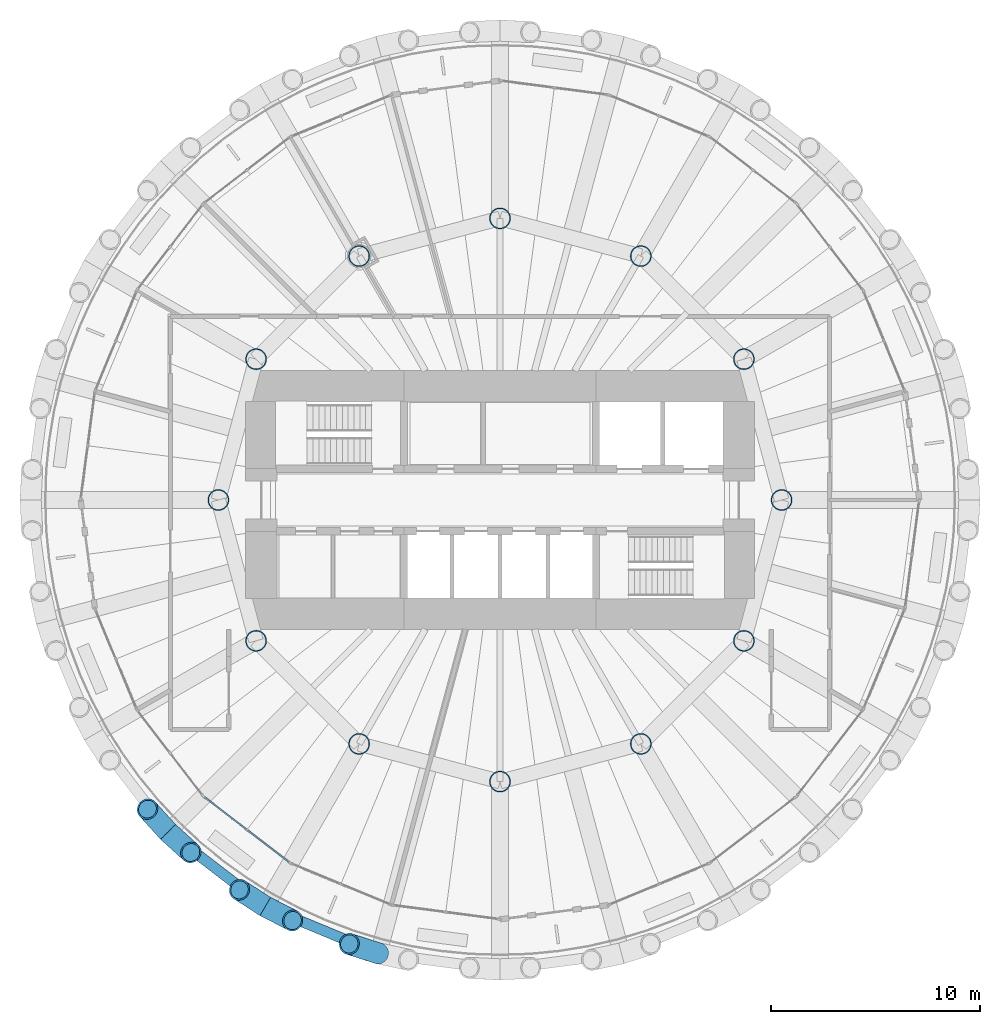
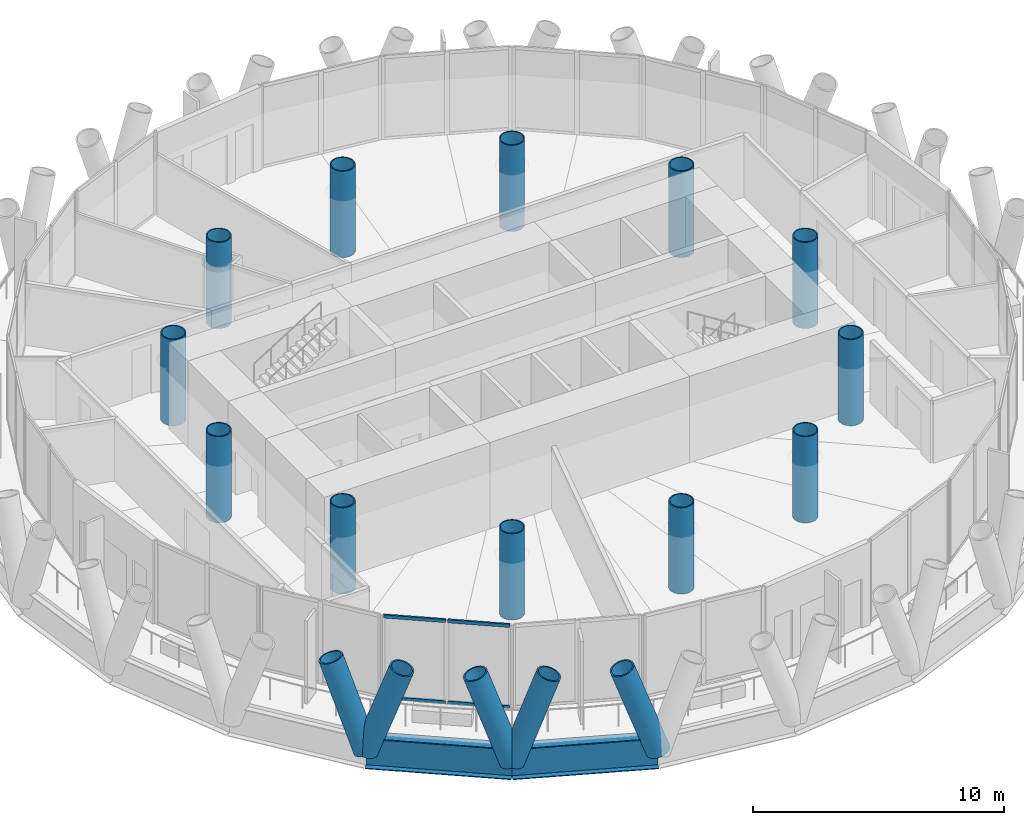
# One storey, part 1 of 14: 12 columns, 9 members, 2 beams, 1 element without a shape of its own.
"""IFC4 building model written with IfcOpenShell, lengths in metres."""

from ifc_helpers import new_model, si_unit, direction, frame, origin, origin_2d, place, context, subcontext, project, spatial, rectangle, hollow_circle, i_section, extrude, material, material_profile, profile_set, type_object, element, aggregate, save


model = new_model("IFC4")

# Units and contexts
model_context = context("Model", 3, precision=1e-05, world=origin(), true_north=direction((0.0, 1.0)))
body_context = subcontext(model_context, "Body", "Model", "MODEL_VIEW")
ifc_project = project(units=[si_unit("LENGTHUNIT", "METRE"), si_unit("AREAUNIT", "SQUARE_METRE"), si_unit("VOLUMEUNIT", "CUBIC_METRE"), si_unit("PLANEANGLEUNIT", "RADIAN"), si_unit("MASSUNIT", "GRAM", prefix="KILO")], contexts=[model_context])

# Site, building, storey
site_placement = place(None, origin())
site = spatial("IfcSite", under=ifc_project, at=site_placement, CompositionType="ELEMENT")
building_placement = place(site_placement, origin())
building = spatial("IfcBuilding", under=site, at=building_placement, Name="Qaws Media Tower", CompositionType="ELEMENT")
storey_placement = place(building_placement, frame((0.0, 0.0, 227.60009765625)))
storey = spatial("IfcBuildingStorey", under=building, at=storey_placement, Name="L52", CompositionType="ELEMENT", Elevation=227.60009765625)

# Columns
ifc_material_1 = material(Name="Steel S460", Category="steel")
ifc_material_profile_1 = material_profile(ifc_material_1, hollow_circle(Radius=0.508056640625, WallThickness=0.050048828125, at=origin_2d()), Name="CHS 1016x50")
ifc_profile_set_1 = profile_set([ifc_material_profile_1], Name="Steel S460")
column_type = type_object("IfcColumnType", Name="Inner column CHS 1016x50", PredefinedType="COLUMN", material=ifc_profile_set_1)
for number, where, z_axis, x_axis, name in (
    (1, (73.5, 50.0, 0.0), (0.0, 0.0, 1.0), (1.0, 0.0, 0.0), "C2 inner column I01 L52"),
    (2, (71.69140625, 56.75, 0.0), (0.0, 0.0, 1.0), (1.0, 0.0, 0.0), "C2 inner column I02 L52"),
    (3, (66.75, 61.69140625, 0.0), (0.0, 0.0, 1.0), (1.0, 0.0, 0.0), "C2 inner column I03 L52"),
    (4, (60.0, 63.5, 0.0), (0.0, 0.0, 1.0), (1.0, 0.0, 0.0), "C2 inner column I04 L52"),
    (5, (53.25, 61.69140625, 0.0), (0.0, 0.0, 1.0), (1.0, 0.0, 0.0), "C2 inner column I05 L52"),
    (6, (48.30859375, 56.75, 0.0), (0.0, 0.0, 1.0), (1.0, 0.0, 0.0), "C2 inner column I06 L52"),
    (7, (46.5, 50.0, 0.0), (0.0, 0.0, 1.0), (1.0, 0.0, 0.0), "C2 inner column I07 L52"),
    (8, (48.30859375, 43.25, 0.0), (0.0, 0.0, 1.0), (1.0, 0.0, 0.0), "C2 inner column I08 L52"),
    (9, (53.25, 38.30859375, 0.0), (0.0, 0.0, 1.0), (1.0, 0.0, 0.0), "C2 inner column I09 L52"),
    (10, (60.0, 36.5, 0.0), (0.0, 0.0, 1.0), (1.0, 0.0, 0.0), "C2 inner column I10 L52"),
    (11, (66.75, 38.30859375, 0.0), (0.0, 0.0, 1.0), (1.0, 0.0, 0.0), "C2 inner column I11 L52"),
    (12, (71.69140625, 43.25, 0.0), (0.0, 0.0, 1.0), (1.0, 0.0, 0.0), "C2 inner column I12 L52"),
):
    element("IfcColumn", number, at=place(storey_placement, frame(where, z_axis=z_axis, x_axis=x_axis)), inside=storey, type_object=column_type, Name=name, PredefinedType="COLUMN", context=body_context, shape_type="SweptSolid", body=[
        extrude(hollow_circle(Radius=0.508056640625, WallThickness=0.050048828125, at=origin_2d()), origin(), (0.0, 0.0, 1.0), 4.199951171875),
    ])

# Curtain wall, members
ifc_material_2 = material(Name="Aluminium and clear glass", Category="aluminium")
curtain_wall_type = type_object("IfcCurtainWallType", Name="Unitised curtain wall CW-C", PredefinedType="NOTDEFINED", material=ifc_material_2)
curtain_wall_placement = place(storey_placement, origin())
curtain_wall = element("IfcCurtainWall", 13, at=curtain_wall_placement, inside=storey, type_object=curtain_wall_type, Name="CWC curtain wall L52-16", PredefinedType="NOTDEFINED")
ifc_material_3 = material(Name="Aluminium transom", Category="aluminium")
ifc_material_profile_2 = material_profile(ifc_material_3, rectangle(XDim=0.080078125, YDim=0.159912109375, at=origin_2d()), Name="80x160")
ifc_profile_set_2 = profile_set([ifc_material_profile_2], Name="Aluminium transom")
member_type_1 = type_object("IfcMemberType", Name="Curtain wall transom 80x160", PredefinedType="USERDEFINED", material=ifc_profile_set_2)
member_1_placement = place(storey_placement, frame((45.8505859375, 35.738525390625, 0.039794921875), z_axis=(0.79335203927, -0.608763124529, 0.0), x_axis=(0.608763124529, 0.79335203927, 0.0)))
member_1 = element("IfcMember", 14, at=member_1_placement, type_object=member_type_1, Name="CWC transom 1.1", ObjectType="TRANSOM", PredefinedType="USERDEFINED", context=body_context, shape_type="SweptSolid", body=[
    extrude(rectangle(XDim=0.080078125, YDim=0.159912109375, at=origin_2d()), origin(), (0.0, 0.0, 1.0), 2.503662109375),
])
member_2_placement = place(storey_placement, frame((45.8505859375, 35.738525390625, 4.0), z_axis=(0.79335203927, -0.608763124529, 0.0), x_axis=(0.608763124529, 0.79335203927, 0.0)))
member_2 = element("IfcMember", 15, at=member_2_placement, type_object=member_type_1, Name="CWC transom 1.2", ObjectType="TRANSOM", PredefinedType="USERDEFINED", context=body_context, shape_type="SweptSolid", body=[
    extrude(rectangle(XDim=0.080078125, YDim=0.159912109375, at=origin_2d()), origin(), (0.0, 0.0, 1.0), 2.503662109375),
])
member_3_placement = place(storey_placement, frame((47.900390625, 34.165771484375, 0.039794921875), z_axis=(0.793315898111, -0.608810221501, 0.0), x_axis=(0.608810221501, 0.793315898111, 0.0)))
member_3 = element("IfcMember", 16, at=member_3_placement, type_object=member_type_1, Name="CWC transom 2.1", ObjectType="TRANSOM", PredefinedType="USERDEFINED", context=body_context, shape_type="SweptSolid", body=[
    extrude(rectangle(XDim=0.080078125, YDim=0.159912109375, at=origin_2d()), origin(), (0.0, 0.0, 1.0), 2.50341796875),
])
member_4_placement = place(storey_placement, frame((47.900390625, 34.165771484375, 4.0), z_axis=(0.793315898111, -0.608810221501, 0.0), x_axis=(0.608810221501, 0.793315898111, 0.0)))
member_4 = element("IfcMember", 17, at=member_4_placement, type_object=member_type_1, Name="CWC transom 2.2", ObjectType="TRANSOM", PredefinedType="USERDEFINED", context=body_context, shape_type="SweptSolid", body=[
    extrude(rectangle(XDim=0.080078125, YDim=0.159912109375, at=origin_2d()), origin(), (0.0, 0.0, 1.0), 2.50341796875),
])
aggregate(curtain_wall, [member_1, member_2, member_3, member_4])

# Members
ifc_material_4 = material(Name="Steel S460", Category="steel")
ifc_material_profile_3 = material_profile(ifc_material_4, hollow_circle(Radius=0.508056640625, WallThickness=0.070068359375, at=origin_2d()), Name="CHS 1016x70")
ifc_profile_set_3 = profile_set([ifc_material_profile_3], Name="Steel S460")
member_type_2 = type_object("IfcMemberType", Name="Diagrid member CHS 1016x70", PredefinedType="USERDEFINED", material=ifc_profile_set_3)
for number, where, z_axis, x_axis, name in (
    (18, (44.090087890625, 34.090087890625, -0.91015625), (0.245162927904, -0.221957754822, 0.943731897233), (0.671152181779, 0.741319599696, 0.0), "DG3 diagrid L52 A16"),
    (19, (44.090087890625, 34.090087890625, -0.91015625), (-0.221957754822, 0.245162927904, 0.943731897233), (-0.741319599696, -0.671152181779, 0.0), "DG3 diagrid L52 B16"),
    (20, (48.75, 30.514404296875, -0.91015625), (0.294262043365, -0.150916271681, 0.94373414094), (0.456346957219, 0.889801918765, 0.0), "DG3 diagrid L52 A17"),
    (21, (48.75, 30.514404296875, -0.91015625), (-0.277805898185, 0.179388879752, 0.943739112655), (-0.542466897967, -0.84007717777, 0.0), "DG3 diagrid L52 B17"),
    (22, (54.176513671875, 28.2666015625, -0.91015625), (-0.314779550303, 0.101378983785, 0.943735204577), (-0.306556840364, -0.951852353901, 0.0), "DG3 diagrid L52 B18"),
):
    element("IfcMember", number, at=place(storey_placement, frame(where, z_axis=z_axis, x_axis=x_axis)), inside=storey, type_object=member_type_2, Name=name, ObjectType="DIAGRID", PredefinedType="USERDEFINED", context=body_context, shape_type="SweptSolid", body=[
        extrude(hollow_circle(Radius=0.508056640625, WallThickness=0.070068359375, at=origin_2d()), origin(), (0.0, 0.0, 1.0), 4.450439453125),
    ])

# Beams
ifc_material_5 = material(Name="Steel S460", Category="steel")
ifc_material_profile_4 = material_profile(ifc_material_5, i_section(OverallWidth=0.5, OverallDepth=1.5, WebThickness=0.02001953125, FlangeThickness=0.0400390625, at=origin_2d()), Name="PG 1500x500")
ifc_profile_set_4 = profile_set([ifc_material_profile_4], Name="Steel S460")
beam_type = type_object("IfcBeamType", Name="Edge ring beam PG 1500x500", PredefinedType="BEAM", material=ifc_profile_set_4)
beam_1_placement = place(storey_placement, frame((44.090087890625, 34.090087890625, -0.91015625), z_axis=(0.793352742466, -0.608762208108, 0.0), x_axis=(0.608762208108, 0.793352742466, 0.0)))
element("IfcBeam", 23, at=beam_1_placement, inside=storey, type_object=beam_type, Name="RB4 edge ring beam L52-16", PredefinedType="BEAM", context=body_context, shape_type="SweptSolid", body=[
    extrude(i_section(OverallWidth=0.5, OverallDepth=1.5, WebThickness=0.02001953125, FlangeThickness=0.0400390625, at=origin_2d()), origin(), (0.0, 0.0, 1.0), 5.873779296875),
])
beam_2_placement = place(storey_placement, frame((48.75, 30.514404296875, -0.91015625), z_axis=(0.923875488976, -0.382693194178, 0.0), x_axis=(0.382693194178, 0.923875488976, 0.0)))
element("IfcBeam", 24, at=beam_2_placement, inside=storey, type_object=beam_type, Name="RB4 edge ring beam L52-17", PredefinedType="BEAM", context=body_context, shape_type="SweptSolid", body=[
    extrude(i_section(OverallWidth=0.5, OverallDepth=1.5, WebThickness=0.02001953125, FlangeThickness=0.0400390625, at=origin_2d()), origin(), (0.0, 0.0, 1.0), 5.87353515625),
])

save(model, "model.ifc")
